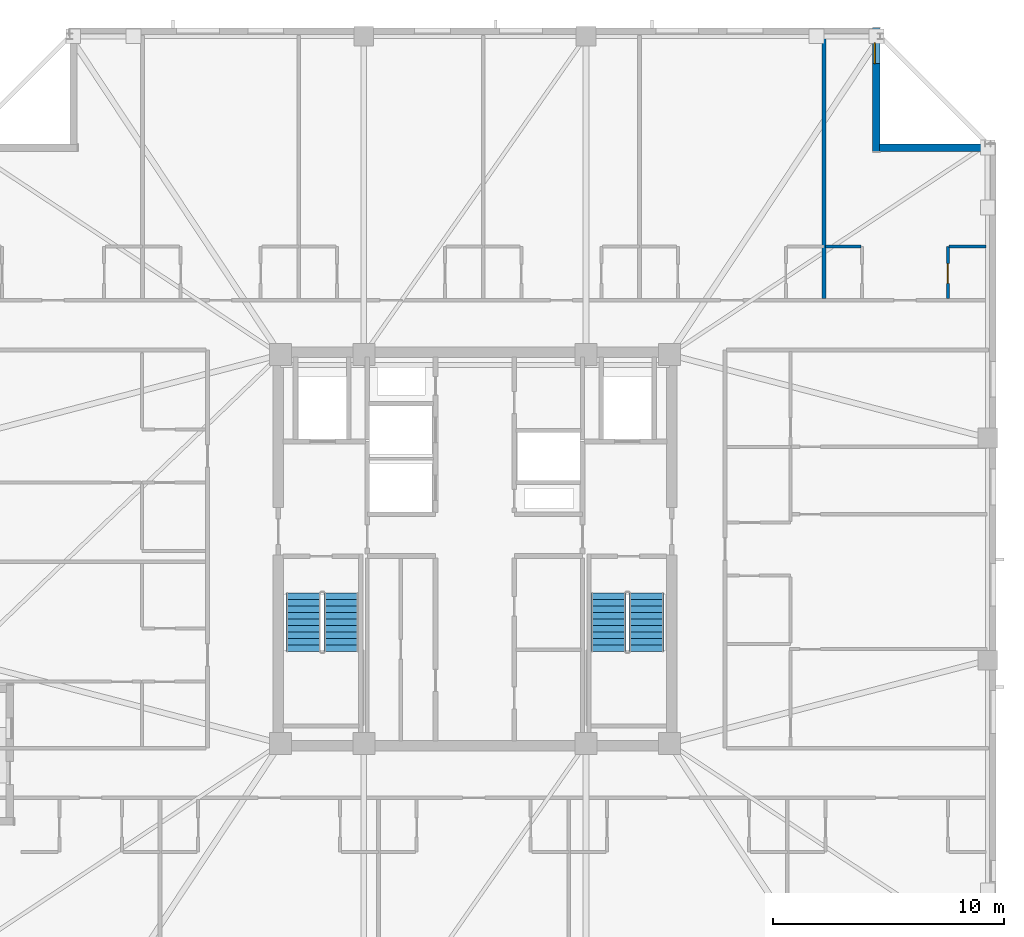
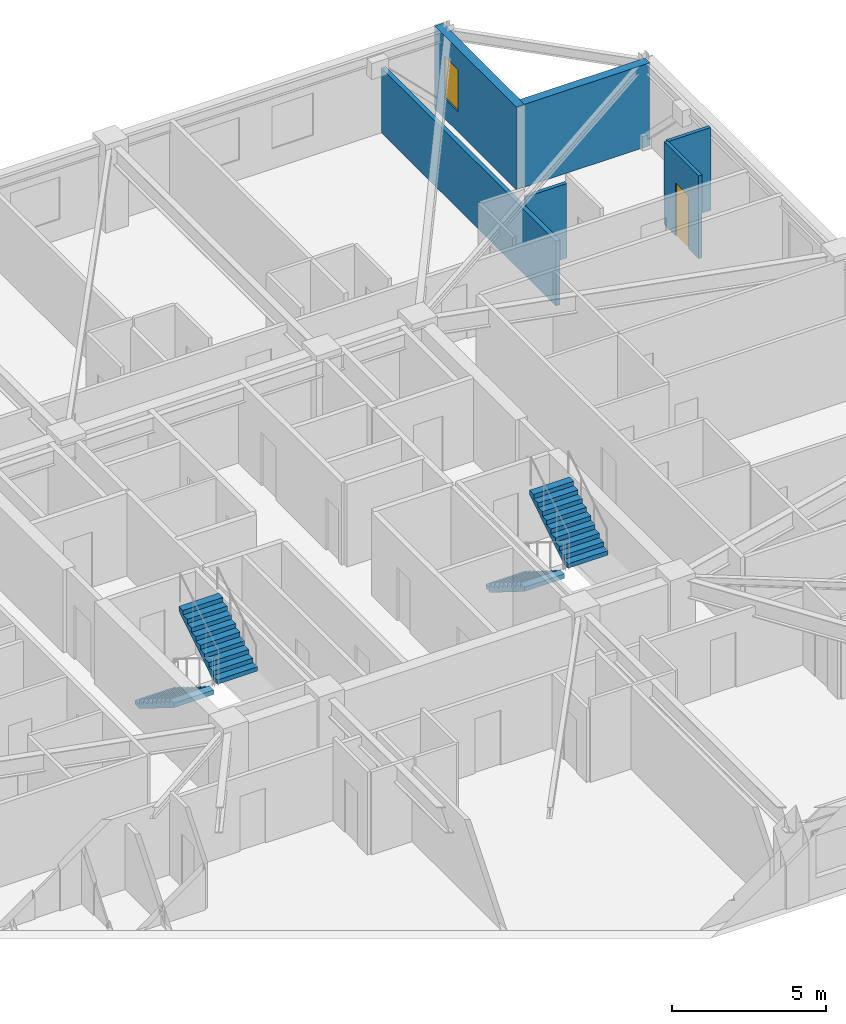
# One storey, part 12 of 17: 6 walls, 4 stair flights, 1 door, 1 window, 2 openings, 2 elements without a shape of their own.
"""IFC4 building model written with IfcOpenShell, lengths in metres."""

from ifc_helpers import new_model, si_unit, direction, frame, frame_2d, origin, place, context, subcontext, project, spatial, polyline, rectangle, outline, extrude, material, layer, layer_set, type_object, element, fill, aggregate, save


model = new_model("IFC4")

# Units and contexts
model_context = context("Model", 3, precision=1e-05, world=origin(), true_north=direction((0.0, 1.0)))
body_context = subcontext(model_context, "Body", "Model", "MODEL_VIEW")
ifc_project = project(units=[si_unit("LENGTHUNIT", "METRE"), si_unit("AREAUNIT", "SQUARE_METRE"), si_unit("VOLUMEUNIT", "CUBIC_METRE"), si_unit("PLANEANGLEUNIT", "RADIAN"), si_unit("MASSUNIT", "GRAM", prefix="KILO")], contexts=[model_context])

# Site, building, storey
site_placement = place(None, origin())
site = spatial("IfcSite", under=ifc_project, at=site_placement, CompositionType="ELEMENT")
building_placement = place(site_placement, origin())
building = spatial("IfcBuilding", under=site, at=building_placement, Name="Cairnveth Concourse Tower", CompositionType="ELEMENT")
storey_placement = place(building_placement, frame((0.0, 0.0, 251.5)))
storey = spatial("IfcBuildingStorey", under=building, at=storey_placement, Name="L69", CompositionType="ELEMENT", Elevation=251.5)

# Walls
ifc_material_1 = material(Name="Gypsum Plasterboard Partition", Category="gypsum")
ifc_layer_1 = layer(ifc_material_1, 0.159912109375)
ifc_layer_set_1 = layer_set([ifc_layer_1], Name="Gypsum Plasterboard Partition")
wall_type_1 = type_object("IfcWallType", Name="ACOUSTIC PARTY WALL 180", PredefinedType="PARTITIONING", material=ifc_layer_set_1)
wall_1_placement = place(storey_placement, frame((67.077392578125, 49.827392578125, 0.0), z_axis=(0.0, 0.0, 1.0), x_axis=(0.0, 1.0, 0.0)))
element("IfcWall", 1, at=wall_1_placement, inside=storey, type_object=wall_type_1, Name="Interior Wall IW-L69-091", PredefinedType="PARTITIONING", context=body_context, shape_type="SweptSolid", body=[
    extrude(rectangle(XDim=11.36767578125, YDim=0.159912109375, at=frame_2d((5.683837890625, 0.0))), origin(), (0.0, 0.0, 1.0), 2.572998046875),
])
ifc_layer_2 = layer(ifc_material_1, 0.1298828125)
ifc_layer_set_2 = layer_set([ifc_layer_2], Name="Gypsum Plasterboard Partition")
wall_type_2 = type_object("IfcWallType", Name="WET AREA PARTITION 140", PredefinedType="PLUMBINGWALL", material=ifc_layer_set_2)
wall_2_placement = place(storey_placement, frame((67.142578125, 52.077392578125, 0.0), z_axis=(0.0, 0.0, 1.0), x_axis=(1.0, 0.0, 0.0)))
element("IfcWall", 2, at=wall_2_placement, inside=storey, type_object=wall_type_2, Name="Interior Wall IW-L69-093", PredefinedType="PLUMBINGWALL", context=body_context, shape_type="SweptSolid", body=[
    extrude(rectangle(XDim=1.534912109375, YDim=0.1298828125, at=frame_2d((0.767578125, 0.0))), origin(), (0.0, 0.0, 1.0), 2.9580078125),
])

# Wall, opening, door
wall_3_placement = place(storey_placement, frame((72.429931640625, 49.827392578125, 0.0), z_axis=(0.0, 0.0, 1.0), x_axis=(0.0, 1.0, 0.0)))
wall_3 = element("IfcWall", 3, at=wall_3_placement, inside=storey, type_object=wall_type_2, Name="Interior Wall IW-L69-094", PredefinedType="PLUMBINGWALL", context=body_context, shape_type="SweptSolid", body=[
    extrude(rectangle(XDim=2.25, YDim=0.1298828125, at=frame_2d((1.125, 0.0))), origin(), (0.0, 0.0, 1.0), 3.2900390625),
])
opening_1_placement = place(wall_3_placement, frame((0.64990234375, 0.0, 0.0)))
opening_1 = element("IfcOpeningElement", 4, at=opening_1_placement, cuts=wall_3, Name="Opening ID20", PredefinedType="OPENING", context=body_context, shape_type="SweptSolid", body=[
    extrude(rectangle(XDim=0.85009765625, YDim=2.10009765625, at=frame_2d((0.425048828125, 1.050048828125))), frame((0.0, 0.074951171875, 0.0), z_axis=(0.0, -1.0, 0.0), x_axis=(1.0, 0.0, 0.0)), (0.0, 0.0, 1.0), 0.14990234375),
])
ifc_material_2 = material(Name="Solid Core Hardwood Timber Leaf", Category="wood")
door_type = type_object("IfcDoorType", Name="INTERIOR SINGLE DOOR 850X2100", OperationType="NOTDEFINED", PredefinedType="DOOR", material=ifc_material_2)
door_placement = place(opening_1_placement, origin())
door = element("IfcDoor", 5, at=door_placement, inside=storey, type_object=door_type, Name="L69STN6 Kitchen Door", OperationType="SINGLE_SWING_LEFT", OverallHeight=2.10009765625, OverallWidth=0.85009765625, PredefinedType="DOOR", context=body_context, shape_type="SweptSolid", body=[
    extrude(rectangle(XDim=0.85009765625, YDim=2.10009765625, at=frame_2d((0.425048828125, 1.050048828125))), frame((0.0, 0.02490234375, 0.0), z_axis=(0.0, -1.0, 0.0), x_axis=(1.0, 0.0, 0.0)), (0.0, 0.0, 1.0), 0.050048828125),
])
fill(opening_1, door)

# Wall
wall_4_placement = place(storey_placement, frame((72.47998046875, 52.077392578125, 0.0), z_axis=(0.0, 0.0, 1.0), x_axis=(1.0, 0.0, 0.0)))
element("IfcWall", 6, at=wall_4_placement, inside=storey, type_object=wall_type_2, Name="Interior Wall IW-L69-095", PredefinedType="PLUMBINGWALL", context=body_context, shape_type="SweptSolid", body=[
    extrude(rectangle(XDim=1.60009765625, YDim=0.1298828125, at=frame_2d((0.800048828125, 0.0))), origin(), (0.0, 0.0, 1.0), 3.2900390625),
])

# Wall, opening, window
ifc_material_3 = material(Name="Melbourne Buff Fired Clay Brick Masonry", Category="masonry")
ifc_layer_3 = layer(ifc_material_3, 0.320068359375)
ifc_layer_set_3 = layer_set([ifc_layer_3], Name="Melbourne Buff Fired Clay Brick Masonry")
wall_type_3 = type_object("IfcWallType", Name="ZONE 3 BRICK PIER SPANDREL WALL 320", PredefinedType="SOLIDWALL", material=ifc_layer_set_3)
wall_5_placement = place(storey_placement, frame((69.340087890625, 61.5, 0.0), z_axis=(0.0, 0.0, 1.0), x_axis=(0.0, -1.0, 0.0)))
wall_5 = element("IfcWall", 7, at=wall_5_placement, inside=storey, type_object=wall_type_3, Name="Exterior Wall EW-L69-S04", PredefinedType="SOLIDWALL", context=body_context, shape_type="SweptSolid", body=[
    extrude(rectangle(XDim=5.320068359375, YDim=0.320068359375, at=frame_2d((2.66015625, 0.0))), origin(), (0.0, 0.0, 1.0), 3.2900390625),
])
opening_2_placement = place(wall_5_placement, frame((0.6298828125, 0.0, 0.800048828125)))
opening_2 = element("IfcOpeningElement", 8, at=opening_2_placement, cuts=wall_5, Name="Opening W13", PredefinedType="OPENING", context=body_context, shape_type="SweptSolid", body=[
    extrude(rectangle(XDim=0.89990234375, YDim=1.677978515625, at=frame_2d((0.449951171875, 0.8388671875))), frame((0.0, 0.169921875, 0.0), z_axis=(0.0, -1.0, 0.0), x_axis=(1.0, 0.0, 0.0)), (0.0, 0.0, 1.0), 0.340087890625),
])
ifc_material_4 = material(Name="Double Glazed Low-E Clear Glass", Category="glass")
window_type = type_object("IfcWindowType", Name="DEEP-SET BEDROOM LANCET WINDOW 900X1750", PartitioningType="DOUBLE_PANEL_VERTICAL", PredefinedType="WINDOW", material=ifc_material_4)
window_placement = place(opening_2_placement, origin())
window = element("IfcWindow", 9, at=window_placement, inside=storey, type_object=window_type, Name="Dwelling Lancet Window L69-DW4", OverallHeight=1.677978515625, OverallWidth=0.89990234375, PartitioningType="SINGLE_PANEL", PredefinedType="WINDOW", context=body_context, shape_type="SweptSolid", body=[
    extrude(rectangle(XDim=0.89990234375, YDim=1.677978515625, at=frame_2d((0.449951171875, 0.8388671875))), frame((0.0, -0.0400390625, 0.0), z_axis=(0.0, -1.0, 0.0), x_axis=(1.0, 0.0, 0.0)), (0.0, 0.0, 1.0), 0.06005859375),
])
fill(opening_2, window)

# Wall
wall_6_placement = place(storey_placement, frame((69.47802734375, 56.340087890625, 0.0), z_axis=(0.0, 0.0, 1.0), x_axis=(1.0, 0.0, 0.0)))
element("IfcWall", 10, at=wall_6_placement, inside=storey, type_object=wall_type_3, Name="Exterior Wall EW-L69-S05", PredefinedType="SOLIDWALL", context=body_context, shape_type="SweptSolid", body=[
    extrude(rectangle(XDim=4.723876953125, YDim=0.320068359375, at=frame_2d((2.36181640625, 0.0))), origin(), (0.0, 0.0, 1.0), 3.2900390625),
])

# Stair, stair flights
ifc_material_5 = material(Name="Precast concrete N50 (50 MPa)", Category="concrete")
stair_type = type_object("IfcStairType", Name="CORE DOG-LEG FIRE STAIR 1500", PredefinedType="HALF_TURN_STAIR", material=ifc_material_5)
stair_1_placement = place(storey_placement, origin())
stair_1 = element("IfcStair", 11, at=stair_1_placement, inside=storey, type_object=stair_type, Name="L69 Fire-Isolated Stair ST-1", PredefinedType="HALF_TURN_STAIR")
stair_flight_type = type_object("IfcStairFlightType", Name="PRECAST CONCRETE STAIR FLIGHT 1500", PredefinedType="STRAIGHT", material=ifc_material_5)
stair_flight_1_placement = place(storey_placement, frame((44.590087890625, 37.10009765625, 0.0), z_axis=(0.0, 0.0, 1.0), x_axis=(0.0, -1.0, 0.0)))
stair_flight_1 = element("IfcStairFlight", 12, at=stair_flight_1_placement, type_object=stair_flight_type, Name="ST-1 flight 1", NumberOfRisers=10, NumberOfTreads=9, PredefinedType="STRAIGHT", RiserHeight=0.175, TreadLength=0.28, context=body_context, shape_type="SweptSolid", body=[
    extrude(outline(polyline([(0.0, 0.0), (0.0, 0.175048828125), (0.280029296875, 0.175048828125), (0.280029296875, 0.35009765625), (0.56005859375, 0.35009765625), (0.56005859375, 0.52490234375), (0.840087890625, 0.52490234375), (0.840087890625, 0.699951171875), (1.1201171875, 0.699951171875), (1.1201171875, 0.875), (1.39990234375, 0.875), (1.39990234375, 1.050048828125), (1.679931640625, 1.050048828125), (1.679931640625, 1.22509765625), (1.9599609375, 1.22509765625), (1.9599609375, 1.39990234375), (2.239990234375, 1.39990234375), (2.239990234375, 1.574951171875), (2.52001953125, 1.574951171875), (2.52001953125, 1.75), (2.52001953125, 1.398193359375), (0.28271484375, 0.0), (0.0, 0.0)])), frame((0.0, 0.75, 0.0), z_axis=(0.0, -1.0, 0.0), x_axis=(1.0, 0.0, 0.0)), (0.0, 0.0, 1.0), 1.5),
])
stair_flight_2_placement = place(storey_placement, frame((46.22998046875, 34.580078125, 1.75), z_axis=(0.0, 0.0, 1.0), x_axis=(0.0, 1.0, 0.0)))
stair_flight_2 = element("IfcStairFlight", 13, at=stair_flight_2_placement, type_object=stair_flight_type, Name="ST-1 flight 2", NumberOfRisers=10, NumberOfTreads=9, PredefinedType="STRAIGHT", RiserHeight=0.175, TreadLength=0.28, context=body_context, shape_type="SweptSolid", body=[
    extrude(outline(polyline([(0.0, 0.0), (0.0, 0.175048828125), (0.280029296875, 0.175048828125), (0.280029296875, 0.35009765625), (0.56005859375, 0.35009765625), (0.56005859375, 0.52490234375), (0.840087890625, 0.52490234375), (0.840087890625, 0.699951171875), (1.1201171875, 0.699951171875), (1.1201171875, 0.875), (1.39990234375, 0.875), (1.39990234375, 1.050048828125), (1.679931640625, 1.050048828125), (1.679931640625, 1.22509765625), (1.9599609375, 1.22509765625), (1.9599609375, 1.39990234375), (2.239990234375, 1.39990234375), (2.239990234375, 1.574951171875), (2.52001953125, 1.574951171875), (2.52001953125, 1.75), (2.52001953125, 1.398193359375), (0.28271484375, 0.0), (0.0, 0.0)])), frame((0.0, 0.75, 0.0), z_axis=(0.0, -1.0, 0.0), x_axis=(1.0, 0.0, 0.0)), (0.0, 0.0, 1.0), 1.5),
])
aggregate(stair_1, [stair_flight_1, stair_flight_2])

stair_2_placement = place(storey_placement, origin())
stair_2 = element("IfcStair", 14, at=stair_2_placement, inside=storey, type_object=stair_type, Name="L69 Fire-Isolated Stair ST-2", PredefinedType="HALF_TURN_STAIR")
stair_flight_3_placement = place(storey_placement, frame((57.77001953125, 37.10009765625, 0.0), z_axis=(0.0, 0.0, 1.0), x_axis=(0.0, -1.0, 0.0)))
stair_flight_3 = element("IfcStairFlight", 15, at=stair_flight_3_placement, type_object=stair_flight_type, Name="ST-2 flight 1", NumberOfRisers=10, NumberOfTreads=9, PredefinedType="STRAIGHT", RiserHeight=0.175, TreadLength=0.28, context=body_context, shape_type="SweptSolid", body=[
    extrude(outline(polyline([(0.0, 0.0), (0.0, 0.175048828125), (0.280029296875, 0.175048828125), (0.280029296875, 0.35009765625), (0.56005859375, 0.35009765625), (0.56005859375, 0.52490234375), (0.840087890625, 0.52490234375), (0.840087890625, 0.699951171875), (1.1201171875, 0.699951171875), (1.1201171875, 0.875), (1.39990234375, 0.875), (1.39990234375, 1.050048828125), (1.679931640625, 1.050048828125), (1.679931640625, 1.22509765625), (1.9599609375, 1.22509765625), (1.9599609375, 1.39990234375), (2.239990234375, 1.39990234375), (2.239990234375, 1.574951171875), (2.52001953125, 1.574951171875), (2.52001953125, 1.75), (2.52001953125, 1.398193359375), (0.28271484375, 0.0), (0.0, 0.0)])), frame((0.0, 0.75, 0.0), z_axis=(0.0, -1.0, 0.0), x_axis=(1.0, 0.0, 0.0)), (0.0, 0.0, 1.0), 1.5),
])
stair_flight_4_placement = place(storey_placement, frame((59.409912109375, 34.580078125, 1.75), z_axis=(0.0, 0.0, 1.0), x_axis=(0.0, 1.0, 0.0)))
stair_flight_4 = element("IfcStairFlight", 16, at=stair_flight_4_placement, type_object=stair_flight_type, Name="ST-2 flight 2", NumberOfRisers=10, NumberOfTreads=9, PredefinedType="STRAIGHT", RiserHeight=0.175, TreadLength=0.28, context=body_context, shape_type="SweptSolid", body=[
    extrude(outline(polyline([(0.0, 0.0), (0.0, 0.175048828125), (0.280029296875, 0.175048828125), (0.280029296875, 0.35009765625), (0.56005859375, 0.35009765625), (0.56005859375, 0.52490234375), (0.840087890625, 0.52490234375), (0.840087890625, 0.699951171875), (1.1201171875, 0.699951171875), (1.1201171875, 0.875), (1.39990234375, 0.875), (1.39990234375, 1.050048828125), (1.679931640625, 1.050048828125), (1.679931640625, 1.22509765625), (1.9599609375, 1.22509765625), (1.9599609375, 1.39990234375), (2.239990234375, 1.39990234375), (2.239990234375, 1.574951171875), (2.52001953125, 1.574951171875), (2.52001953125, 1.75), (2.52001953125, 1.398193359375), (0.28271484375, 0.0), (0.0, 0.0)])), frame((0.0, 0.75, 0.0), z_axis=(0.0, -1.0, 0.0), x_axis=(1.0, 0.0, 0.0)), (0.0, 0.0, 1.0), 1.5),
])
aggregate(stair_2, [stair_flight_3, stair_flight_4])

save(model, "model.ifc")
